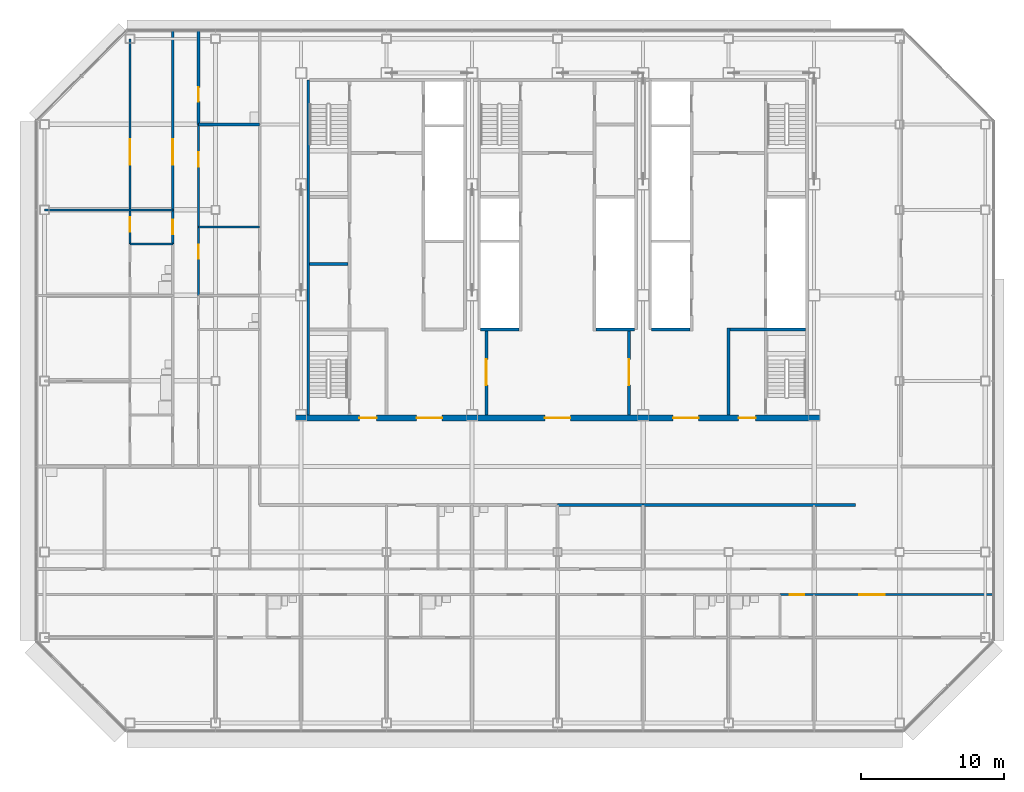
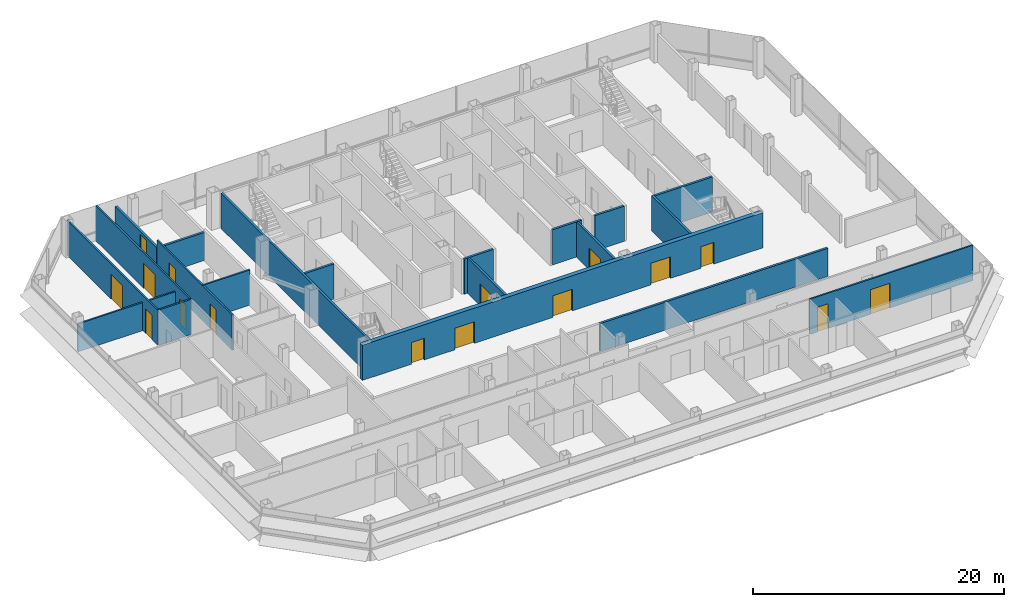
# One storey, part 22 of 27: 21 walls, 16 doors, 16 openings.
"""IFC4 building model written with IfcOpenShell, lengths in metres."""

from ifc_helpers import new_model, si_unit, direction, frame, frame_2d, origin, place, context, subcontext, project, spatial, rectangle, extrude, material, layer, layer_set, type_object, element, fill, save


model = new_model("IFC4")

# Units and contexts
model_context = context("Model", 3, precision=1e-05, world=origin(), true_north=direction((0.0, 1.0)))
body_context = subcontext(model_context, "Body", "Model", "MODEL_VIEW")
ifc_project = project(units=[si_unit("LENGTHUNIT", "METRE"), si_unit("AREAUNIT", "SQUARE_METRE"), si_unit("VOLUMEUNIT", "CUBIC_METRE"), si_unit("PLANEANGLEUNIT", "RADIAN"), si_unit("MASSUNIT", "GRAM", prefix="KILO")], contexts=[model_context])

# Site, building, storey
site_placement = place(None, origin())
site = spatial("IfcSite", under=ifc_project, at=site_placement, CompositionType="ELEMENT")
building_placement = place(site_placement, origin())
building = spatial("IfcBuilding", under=site, at=building_placement, Name="Sorahane Residences", CompositionType="ELEMENT")
storey_placement = place(building_placement, frame((0.0, 0.0, 202.800048828125)))
storey = spatial("IfcBuildingStorey", under=building, at=storey_placement, Name="L47", CompositionType="ELEMENT", Elevation=202.800048828125)

# Walls
ifc_material_1 = material(Name="Concrete C30", Category="concrete")
ifc_layer_1 = layer(ifc_material_1, 0.199951171875)
ifc_layer_set_1 = layer_set([ifc_layer_1], Name="Core face wall 200 EI 180")
wall_type_1 = type_object("IfcWallType", Name="Core face wall 200 EI 180", PredefinedType="SOLIDWALL", material=ifc_layer_set_1)
wall_1_placement = place(storey_placement, frame((6.5, 21.60009765625, 0.0), z_axis=(0.0, 0.0, 1.0), x_axis=(0.0, 1.0, 0.0)))
element("IfcWall", 1, at=wall_1_placement, inside=storey, type_object=wall_type_1, Name="L47 core face wall", PredefinedType="SOLIDWALL", context=body_context, shape_type="SweptSolid", body=[
    extrude(rectangle(XDim=23.5, YDim=0.199951171875, at=frame_2d((11.75, 0.0))), origin(), (0.0, 0.0, 1.0), 3.419921875),
])
ifc_material_2 = material(Name="Concrete blockwork C20 wall", Category="masonry")
ifc_layer_2 = layer(ifc_material_2, 0.199951171875)
ifc_layer_set_2 = layer_set([ifc_layer_2], Name="Corridor wall 200 EI 120")
wall_type_2 = type_object("IfcWallType", Name="Corridor wall 200 EI 120", PredefinedType="SOLIDWALL", material=ifc_layer_set_2)
wall_2_placement = place(storey_placement, frame((30.0, 15.300048828125, 0.0), z_axis=(0.0, 0.0, 1.0), x_axis=(1.0, 0.0, 0.0)))
element("IfcWall", 2, at=wall_2_placement, inside=storey, type_object=wall_type_2, Name="L47 corridor wall", PredefinedType="SOLIDWALL", context=body_context, shape_type="SweptSolid", body=[
    extrude(rectangle(XDim=14.89990234375, YDim=0.199951171875, at=frame_2d((7.449951171875, 0.0))), origin(), (0.0, 0.0, 1.0), 2.719970703125),
])
ifc_material_3 = material(Name="Concrete C30", Category="concrete")
ifc_layer_3 = layer(ifc_material_3, 0.199951171875)
ifc_layer_set_3 = layer_set([ifc_layer_3], Name="Front room wall 200 EI 120")
wall_type_3 = type_object("IfcWallType", Name="Front room wall 200 EI 120", PredefinedType="PARTITIONING", material=ifc_layer_set_3)
wall_3_placement = place(storey_placement, frame((36.0, 21.60009765625, 0.0), z_axis=(0.0, 0.0, 1.0), x_axis=(0.0, 1.0, 0.0)))
element("IfcWall", 3, at=wall_3_placement, inside=storey, type_object=wall_type_3, Name="L47 front room wall", PredefinedType="PARTITIONING", context=body_context, shape_type="SweptSolid", body=[
    extrude(rectangle(XDim=6.099853515625, YDim=0.199951171875, at=frame_2d((3.0498046875, 0.0))), origin(), (0.0, 0.0, 1.0), 3.419921875),
])

# Wall, opening, door
ifc_material_4 = material(Name="Concrete blockwork C20 wall", Category="masonry")
ifc_layer_4 = layer(ifc_material_4, 0.199951171875)
ifc_layer_set_4 = layer_set([ifc_layer_4], Name="Kitchen wall 200 EI 180")
wall_type_4 = type_object("IfcWallType", Name="Kitchen wall 200 EI 180", PredefinedType="SOLIDWALL", material=ifc_layer_set_4)
wall_4_placement = place(storey_placement, frame((-1.199951171875, 42.0, 0.0), z_axis=(0.0, 0.0, 1.0), x_axis=(0.0, 1.0, 0.0)))
wall_4 = element("IfcWall", 4, at=wall_4_placement, inside=storey, type_object=wall_type_4, Name="L47 kitchen wall", PredefinedType="SOLIDWALL", context=body_context, shape_type="SweptSolid", body=[
    extrude(rectangle(XDim=6.60009765625, YDim=0.199951171875, at=frame_2d((3.300048828125, 0.0))), origin(), (0.0, 0.0, 1.0), 2.719970703125),
])
opening_1_placement = place(wall_4_placement, frame((1.60009765625, 0.0, 0.0)))
opening_1 = element("IfcOpeningElement", 5, at=opening_1_placement, cuts=wall_4, Name="Opening L47-34", PredefinedType="OPENING", context=body_context, shape_type="SweptSolid", body=[
    extrude(rectangle(XDim=1.0, YDim=2.39990234375, at=frame_2d((0.5, 1.199951171875))), frame((0.0, 0.10986328125, 0.0), z_axis=(0.0, -1.0, 0.0), x_axis=(1.0, 0.0, 0.0)), (0.0, 0.0, 1.0), 0.219970703125),
])
ifc_material_5 = material(Name="Steel", Category="steel")
door_type_1 = type_object("IfcDoorType", Name="Kitchen door 1000x2400 FD120", OperationType="NOTDEFINED", PredefinedType="DOOR", material=ifc_material_5)
door_1_placement = place(opening_1_placement, frame((1.0, 0.0, 0.0), z_axis=(0.0, 0.0, 1.0), x_axis=(-1.0, 0.0, 0.0)))
door_1 = element("IfcDoor", 6, at=door_1_placement, inside=storey, type_object=door_type_1, Name="Kitchen door L47-34", OperationType="SINGLE_SWING_LEFT", OverallHeight=2.39990234375, OverallWidth=1.0, PredefinedType="DOOR", context=body_context, shape_type="SweptSolid", body=[
    extrude(rectangle(XDim=1.0, YDim=2.39990234375, at=frame_2d((0.5, 1.199951171875))), frame((0.0, 0.02490234375, 0.0), z_axis=(0.0, -1.0, 0.0), x_axis=(1.0, 0.0, 0.0)), (0.0, 0.0, 1.0), 0.050048828125),
])
fill(opening_1, door_1)

# Walls
wall_5_placement = place(storey_placement, frame((24.0, 15.300048828125, 0.0), z_axis=(0.0, 0.0, 1.0), x_axis=(1.0, 0.0, 0.0)))
element("IfcWall", 7, at=wall_5_placement, inside=storey, type_object=wall_type_4, Name="L47 kitchen wall", PredefinedType="SOLIDWALL", context=body_context, shape_type="SweptSolid", body=[
    extrude(rectangle(XDim=6.0, YDim=0.199951171875, at=frame_2d((3.0, 0.0))), origin(), (0.0, 0.0, 1.0), 2.719970703125),
])
wall_6_placement = place(storey_placement, frame((-1.199951171875, 42.0, 0.0), z_axis=(0.0, 0.0, 1.0), x_axis=(1.0, 0.0, 0.0)))
element("IfcWall", 8, at=wall_6_placement, inside=storey, type_object=wall_type_4, Name="L47 kitchen wall", PredefinedType="SOLIDWALL", context=body_context, shape_type="SweptSolid", body=[
    extrude(rectangle(XDim=4.300048828125, YDim=0.199951171875, at=frame_2d((2.14990234375, 0.0))), origin(), (0.0, 0.0, 1.0), 2.719970703125),
])
ifc_material_6 = material(Name="Concrete C30", Category="concrete")
ifc_layer_5 = layer(ifc_material_6, 0.199951171875)
ifc_layer_set_5 = layer_set([ifc_layer_5], Name="Lift shaft wall 200 EI 120")
wall_type_5 = type_object("IfcWallType", Name="Lift shaft wall 200 EI 120", PredefinedType="SOLIDWALL", material=ifc_layer_set_5)
for number, where, z_axis, x_axis, name in (
    (9, (18.60009765625, 27.60009765625, 0.0), (0.0, 0.0, 1.0), (1.0, 0.0, 0.0), "L47 lift shaft wall"),
    (10, (30.60009765625, 27.60009765625, 0.0), (0.0, 0.0, 1.0), (1.0, 0.0, 0.0), "L47 lift shaft wall"),
):
    element("IfcWall", number, at=place(storey_placement, frame(where, z_axis=z_axis, x_axis=x_axis)), inside=storey, type_object=wall_type_5, Name=name, PredefinedType="SOLIDWALL", context=body_context, shape_type="SweptSolid", body=[
        extrude(rectangle(XDim=2.699951171875, YDim=0.199951171875, at=frame_2d((1.35009765625, 0.0))), origin(), (0.0, 0.0, 1.0), 3.419921875),
    ])

# Wall, openings, doors
ifc_material_7 = material(Name="Gypsum board partition on steel studs", Category="steel")
ifc_layer_6 = layer(ifc_material_7, 0.14990234375)
ifc_layer_set_6 = layer_set([ifc_layer_6], Name="Partition 150 EI 90")
wall_type_6 = type_object("IfcWallType", Name="Partition 150 EI 90", PredefinedType="PARTITIONING", material=ifc_layer_set_6)
wall_7_placement = place(storey_placement, frame((-1.199951171875, 30.0, 0.0), z_axis=(0.0, 0.0, 1.0), x_axis=(0.0, 1.0, 0.0)))
wall_7 = element("IfcWall", 11, at=wall_7_placement, inside=storey, type_object=wall_type_6, Name="L47 partition", PredefinedType="PARTITIONING", context=body_context, shape_type="SweptSolid", body=[
    extrude(rectangle(XDim=12.0, YDim=0.14990234375, at=frame_2d((6.0, 0.0))), origin(), (0.0, 0.0, 1.0), 3.419921875),
])
opening_2_placement = place(wall_7_placement, frame((2.56005859375, 0.0, 0.0)))
opening_2 = element("IfcOpeningElement", 12, at=opening_2_placement, cuts=wall_7, Name="Opening L47-30", PredefinedType="OPENING", context=body_context, shape_type="SweptSolid", body=[
    extrude(rectangle(XDim=1.0, YDim=2.39990234375, at=frame_2d((0.5, 1.199951171875))), frame((0.0, 0.0849609375, 0.0), z_axis=(0.0, -1.0, 0.0), x_axis=(1.0, 0.0, 0.0)), (0.0, 0.0, 1.0), 0.169921875),
])
opening_3_placement = place(wall_7_placement, frame((9.0400390625, 0.0, 0.0)))
opening_3 = element("IfcOpeningElement", 13, at=opening_3_placement, cuts=wall_7, Name="Opening L47-33", PredefinedType="OPENING", context=body_context, shape_type="SweptSolid", body=[
    extrude(rectangle(XDim=1.0, YDim=2.39990234375, at=frame_2d((0.5, 1.199951171875))), frame((0.0, 0.0849609375, 0.0), z_axis=(0.0, -1.0, 0.0), x_axis=(1.0, 0.0, 0.0)), (0.0, 0.0, 1.0), 0.169921875),
])
ifc_material_8 = material(Name="Timber veneered fire door", Category="wood")
door_type_2 = type_object("IfcDoorType", Name="Room door 1000x2400 FD30", OperationType="NOTDEFINED", PredefinedType="DOOR", material=ifc_material_8)
door_2_placement = place(opening_2_placement, origin())
door_2 = element("IfcDoor", 14, at=door_2_placement, inside=storey, type_object=door_type_2, Name="Room door L47-30", OperationType="SINGLE_SWING_LEFT", OverallHeight=2.39990234375, OverallWidth=1.0, PredefinedType="DOOR", context=body_context, shape_type="SweptSolid", body=[
    extrude(rectangle(XDim=1.0, YDim=2.39990234375, at=frame_2d((0.5, 1.199951171875))), frame((0.0, 0.02490234375, 0.0), z_axis=(0.0, -1.0, 0.0), x_axis=(1.0, 0.0, 0.0)), (0.0, 0.0, 1.0), 0.050048828125),
])
fill(opening_2, door_2)
door_3_placement = place(opening_3_placement, frame((1.0, 0.0, 0.0), z_axis=(0.0, 0.0, 1.0), x_axis=(-1.0, 0.0, 0.0)))
door_3 = element("IfcDoor", 15, at=door_3_placement, inside=storey, type_object=door_type_2, Name="Room door L47-33", OperationType="SINGLE_SWING_LEFT", OverallHeight=2.39990234375, OverallWidth=1.0, PredefinedType="DOOR", context=body_context, shape_type="SweptSolid", body=[
    extrude(rectangle(XDim=1.0, YDim=2.39990234375, at=frame_2d((0.5, 1.199951171875))), frame((0.0, 0.02490234375, 0.0), z_axis=(0.0, -1.0, 0.0), x_axis=(1.0, 0.0, 0.0)), (0.0, 0.0, 1.0), 0.050048828125),
])
fill(opening_3, door_3)

wall_8_placement = place(storey_placement, frame((-3.0, 33.60009765625, 0.0), z_axis=(0.0, 0.0, 1.0), x_axis=(0.0, 1.0, 0.0)))
wall_8 = element("IfcWall", 16, at=wall_8_placement, inside=storey, type_object=wall_type_6, Name="L47 partition", PredefinedType="PARTITIONING", context=body_context, shape_type="SweptSolid", body=[
    extrude(rectangle(XDim=15.0, YDim=0.14990234375, at=frame_2d((7.5, 0.0))), origin(), (0.0, 0.0, 1.0), 3.419921875),
])
opening_4_placement = place(wall_8_placement, frame((0.699951171875, 0.0, 0.0)))
opening_4 = element("IfcOpeningElement", 17, at=opening_4_placement, cuts=wall_8, Name="Opening L47-36", PredefinedType="OPENING", context=body_context, shape_type="SweptSolid", body=[
    extrude(rectangle(XDim=1.0, YDim=2.39990234375, at=frame_2d((0.5, 1.199951171875))), frame((0.0, 0.0849609375, 0.0), z_axis=(0.0, -1.0, 0.0), x_axis=(1.0, 0.0, 0.0)), (0.0, 0.0, 1.0), 0.169921875),
])
opening_5_placement = place(wall_8_placement, frame((5.56005859375, 0.0, 0.0)))
opening_5 = element("IfcOpeningElement", 18, at=opening_5_placement, cuts=wall_8, Name="Opening L47-37", PredefinedType="OPENING", context=body_context, shape_type="SweptSolid", body=[
    extrude(rectangle(XDim=1.800048828125, YDim=2.39990234375, at=frame_2d((0.89990234375, 1.199951171875))), frame((0.0, 0.0849609375, 0.0), z_axis=(0.0, -1.0, 0.0), x_axis=(1.0, 0.0, 0.0)), (0.0, 0.0, 1.0), 0.169921875),
])
ifc_material_9 = material(Name="Timber veneered fire door", Category="wood")
door_type_3 = type_object("IfcDoorType", Name="Double door 1800x2400 FD30", OperationType="NOTDEFINED", PredefinedType="DOOR", material=ifc_material_9)
door_4_placement = place(opening_5_placement, origin())
door_4 = element("IfcDoor", 19, at=door_4_placement, inside=storey, type_object=door_type_3, Name="Double door L47-37", OperationType="SINGLE_SWING_LEFT", OverallHeight=2.39990234375, OverallWidth=1.800048828125, PredefinedType="DOOR", context=body_context, shape_type="SweptSolid", body=[
    extrude(rectangle(XDim=1.800048828125, YDim=2.39990234375, at=frame_2d((0.89990234375, 1.199951171875))), frame((0.0, 0.02490234375, 0.0), z_axis=(0.0, -1.0, 0.0), x_axis=(1.0, 0.0, 0.0)), (0.0, 0.0, 1.0), 0.050048828125),
])
fill(opening_5, door_4)
door_5_placement = place(opening_4_placement, origin())
door_5 = element("IfcDoor", 20, at=door_5_placement, inside=storey, type_object=door_type_2, Name="Room door L47-36", OperationType="SINGLE_SWING_LEFT", OverallHeight=2.39990234375, OverallWidth=1.0, PredefinedType="DOOR", context=body_context, shape_type="SweptSolid", body=[
    extrude(rectangle(XDim=1.0, YDim=2.39990234375, at=frame_2d((0.5, 1.199951171875))), frame((0.0, 0.02490234375, 0.0), z_axis=(0.0, -1.0, 0.0), x_axis=(1.0, 0.0, 0.0)), (0.0, 0.0, 1.0), 0.050048828125),
])
fill(opening_4, door_5)

wall_9_placement = place(storey_placement, frame((-6.0, 33.60009765625, 0.0), z_axis=(0.0, 0.0, 1.0), x_axis=(0.0, 1.0, 0.0)))
wall_9 = element("IfcWall", 21, at=wall_9_placement, inside=storey, type_object=wall_type_6, Name="L47 partition", PredefinedType="PARTITIONING", context=body_context, shape_type="SweptSolid", body=[
    extrude(rectangle(XDim=14.39990234375, YDim=0.14990234375, at=frame_2d((7.199951171875, 0.0))), origin(), (0.0, 0.0, 1.0), 3.419921875),
])
opening_6_placement = place(wall_9_placement, frame((0.8798828125, 0.0, 0.0)))
opening_6 = element("IfcOpeningElement", 22, at=opening_6_placement, cuts=wall_9, Name="Opening L47-41", PredefinedType="OPENING", context=body_context, shape_type="SweptSolid", body=[
    extrude(rectangle(XDim=1.0, YDim=2.39990234375, at=frame_2d((0.5, 1.199951171875))), frame((0.0, 0.0849609375, 0.0), z_axis=(0.0, -1.0, 0.0), x_axis=(1.0, 0.0, 0.0)), (0.0, 0.0, 1.0), 0.169921875),
])
opening_7_placement = place(wall_9_placement, frame((5.56005859375, 0.0, 0.0)))
opening_7 = element("IfcOpeningElement", 23, at=opening_7_placement, cuts=wall_9, Name="Opening L47-43", PredefinedType="OPENING", context=body_context, shape_type="SweptSolid", body=[
    extrude(rectangle(XDim=1.800048828125, YDim=2.39990234375, at=frame_2d((0.89990234375, 1.199951171875))), frame((0.0, 0.0849609375, 0.0), z_axis=(0.0, -1.0, 0.0), x_axis=(1.0, 0.0, 0.0)), (0.0, 0.0, 1.0), 0.169921875),
])
door_6_placement = place(opening_7_placement, origin())
door_6 = element("IfcDoor", 24, at=door_6_placement, inside=storey, type_object=door_type_3, Name="Double door L47-43", OperationType="SINGLE_SWING_LEFT", OverallHeight=2.39990234375, OverallWidth=1.800048828125, PredefinedType="DOOR", context=body_context, shape_type="SweptSolid", body=[
    extrude(rectangle(XDim=1.800048828125, YDim=2.39990234375, at=frame_2d((0.89990234375, 1.199951171875))), frame((0.0, 0.02490234375, 0.0), z_axis=(0.0, -1.0, 0.0), x_axis=(1.0, 0.0, 0.0)), (0.0, 0.0, 1.0), 0.050048828125),
])
fill(opening_7, door_6)
door_7_placement = place(opening_6_placement, origin())
door_7 = element("IfcDoor", 25, at=door_7_placement, inside=storey, type_object=door_type_2, Name="Room door L47-41", OperationType="SINGLE_SWING_RIGHT", OverallHeight=2.39990234375, OverallWidth=1.0, PredefinedType="DOOR", context=body_context, shape_type="SweptSolid", body=[
    extrude(rectangle(XDim=1.0, YDim=2.39990234375, at=frame_2d((0.5, 1.199951171875))), frame((0.0, 0.02490234375, 0.0), z_axis=(0.0, -1.0, 0.0), x_axis=(1.0, 0.0, 0.0)), (0.0, 0.0, 1.0), 0.050048828125),
])
fill(opening_6, door_7)

# Walls
wall_10_placement = place(storey_placement, frame((-1.199951171875, 34.800048828125, 0.0), z_axis=(0.0, 0.0, 1.0), x_axis=(1.0, 0.0, 0.0)))
element("IfcWall", 26, at=wall_10_placement, inside=storey, type_object=wall_type_6, Name="L47 partition", PredefinedType="PARTITIONING", context=body_context, shape_type="SweptSolid", body=[
    extrude(rectangle(XDim=4.300048828125, YDim=0.14990234375, at=frame_2d((2.14990234375, 0.0))), origin(), (0.0, 0.0, 1.0), 3.419921875),
])
wall_11_placement = place(storey_placement, frame((-12.0, 36.0, 0.0), z_axis=(0.0, 0.0, 1.0), x_axis=(1.0, 0.0, 0.0)))
element("IfcWall", 27, at=wall_11_placement, inside=storey, type_object=wall_type_6, Name="L47 partition", PredefinedType="PARTITIONING", context=body_context, shape_type="SweptSolid", body=[
    extrude(rectangle(XDim=9.0, YDim=0.14990234375, at=frame_2d((4.5, 0.0))), origin(), (0.0, 0.0, 1.0), 2.719970703125),
])

# Wall, openings, doors
wall_12_placement = place(storey_placement, frame((39.60009765625, 9.0, 0.0), z_axis=(0.0, 0.0, 1.0), x_axis=(1.0, 0.0, 0.0)))
wall_12 = element("IfcWall", 28, at=wall_12_placement, inside=storey, type_object=wall_type_6, Name="L47 partition", PredefinedType="PARTITIONING", context=body_context, shape_type="SweptSolid", body=[
    extrude(rectangle(XDim=15.0, YDim=0.14990234375, at=frame_2d((7.5, 0.0))), origin(), (0.0, 0.0, 1.0), 3.419921875),
])
opening_8_placement = place(wall_12_placement, frame((0.699951171875, 0.0, 0.0)))
opening_8 = element("IfcOpeningElement", 29, at=opening_8_placement, cuts=wall_12, Name="Opening L47-23", PredefinedType="OPENING", context=body_context, shape_type="SweptSolid", body=[
    extrude(rectangle(XDim=1.0, YDim=2.39990234375, at=frame_2d((0.5, 1.199951171875))), frame((0.0, 0.0849609375, 0.0), z_axis=(0.0, -1.0, 0.0), x_axis=(1.0, 0.0, 0.0)), (0.0, 0.0, 1.0), 0.169921875),
])
opening_9_placement = place(wall_12_placement, frame((5.56005859375, 0.0, 0.0)))
opening_9 = element("IfcOpeningElement", 30, at=opening_9_placement, cuts=wall_12, Name="Opening L47-24", PredefinedType="OPENING", context=body_context, shape_type="SweptSolid", body=[
    extrude(rectangle(XDim=1.800048828125, YDim=2.39990234375, at=frame_2d((0.89990234375, 1.199951171875))), frame((0.0, 0.0849609375, 0.0), z_axis=(0.0, -1.0, 0.0), x_axis=(1.0, 0.0, 0.0)), (0.0, 0.0, 1.0), 0.169921875),
])
door_8_placement = place(opening_9_placement, frame((1.800048828125, 0.0, 0.0), z_axis=(0.0, 0.0, 1.0), x_axis=(-1.0, 0.0, 0.0)))
door_8 = element("IfcDoor", 31, at=door_8_placement, inside=storey, type_object=door_type_3, Name="Double door L47-24", OperationType="SINGLE_SWING_LEFT", OverallHeight=2.39990234375, OverallWidth=1.800048828125, PredefinedType="DOOR", context=body_context, shape_type="SweptSolid", body=[
    extrude(rectangle(XDim=1.800048828125, YDim=2.39990234375, at=frame_2d((0.89990234375, 1.199951171875))), frame((0.0, 0.02490234375, 0.0), z_axis=(0.0, -1.0, 0.0), x_axis=(1.0, 0.0, 0.0)), (0.0, 0.0, 1.0), 0.050048828125),
])
fill(opening_9, door_8)
door_9_placement = place(opening_8_placement, frame((1.0, 0.0, 0.0), z_axis=(0.0, 0.0, 1.0), x_axis=(-1.0, 0.0, 0.0)))
door_9 = element("IfcDoor", 32, at=door_9_placement, inside=storey, type_object=door_type_2, Name="Room door L47-23", OperationType="SINGLE_SWING_LEFT", OverallHeight=2.39990234375, OverallWidth=1.0, PredefinedType="DOOR", context=body_context, shape_type="SweptSolid", body=[
    extrude(rectangle(XDim=1.0, YDim=2.39990234375, at=frame_2d((0.5, 1.199951171875))), frame((0.0, 0.02490234375, 0.0), z_axis=(0.0, -1.0, 0.0), x_axis=(1.0, 0.0, 0.0)), (0.0, 0.0, 1.0), 0.050048828125),
])
fill(opening_8, door_9)

# Wall
ifc_material_10 = material(Name="Concrete C30", Category="concrete")
ifc_layer_7 = layer(ifc_material_10, 0.199951171875)
ifc_layer_set_7 = layer_set([ifc_layer_7], Name="Riser shaft wall 200 EI 120")
wall_type_7 = type_object("IfcWallType", Name="Riser shaft wall 200 EI 120", PredefinedType="SOLIDWALL", material=ifc_layer_set_7)
wall_13_placement = place(storey_placement, frame((26.699951171875, 27.60009765625, 0.0), z_axis=(0.0, 0.0, 1.0), x_axis=(1.0, 0.0, 0.0)))
element("IfcWall", 33, at=wall_13_placement, inside=storey, type_object=wall_type_7, Name="L47 riser wall", PredefinedType="SOLIDWALL", context=body_context, shape_type="SweptSolid", body=[
    extrude(rectangle(XDim=2.699951171875, YDim=0.199951171875, at=frame_2d((1.35009765625, 0.0))), origin(), (0.0, 0.0, 1.0), 3.419921875),
])

# Wall, opening, door
ifc_material_11 = material(Name="Concrete C30", Category="concrete")
ifc_layer_8 = layer(ifc_material_11, 0.199951171875)
ifc_layer_set_8 = layer_set([ifc_layer_8], Name="Service room partition 200 EI 60")
wall_type_8 = type_object("IfcWallType", Name="Service room partition 200 EI 60", PredefinedType="PARTITIONING", material=ifc_layer_set_8)
wall_14_placement = place(storey_placement, frame((19.0, 21.60009765625, 0.0), z_axis=(0.0, 0.0, 1.0), x_axis=(0.0, 1.0, 0.0)))
wall_14 = element("IfcWall", 34, at=wall_14_placement, inside=storey, type_object=wall_type_8, Name="L47 service room wall", PredefinedType="PARTITIONING", context=body_context, shape_type="SweptSolid", body=[
    extrude(rectangle(XDim=6.0, YDim=0.199951171875, at=frame_2d((3.0, 0.0))), origin(), (0.0, 0.0, 1.0), 3.419921875),
])
opening_10_placement = place(wall_14_placement, frame((2.10009765625, 0.0, 0.0)))
opening_10 = element("IfcOpeningElement", 35, at=opening_10_placement, cuts=wall_14, Name="Opening L47-C02", PredefinedType="OPENING", context=body_context, shape_type="SweptSolid", body=[
    extrude(rectangle(XDim=1.800048828125, YDim=2.10009765625, at=frame_2d((0.89990234375, 1.050048828125))), frame((0.0, 0.10986328125, 0.0), z_axis=(0.0, -1.0, 0.0), x_axis=(1.0, 0.0, 0.0)), (0.0, 0.0, 1.0), 0.219970703125),
])
ifc_material_12 = material(Name="Steel", Category="steel")
door_type_4 = type_object("IfcDoorType", Name="Waiting hall door 1800x2100 FD60", OperationType="NOTDEFINED", PredefinedType="DOOR", material=ifc_material_12)
door_10_placement = place(opening_10_placement, origin())
door_10 = element("IfcDoor", 36, at=door_10_placement, inside=storey, type_object=door_type_4, Name="Waiting hall door Residents' waiting hall west L47", OperationType="SINGLE_SWING_LEFT", OverallHeight=2.10009765625, OverallWidth=1.800048828125, PredefinedType="DOOR", context=body_context, shape_type="SweptSolid", body=[
    extrude(rectangle(XDim=1.800048828125, YDim=2.10009765625, at=frame_2d((0.89990234375, 1.050048828125))), frame((0.0, 0.02490234375, 0.0), z_axis=(0.0, -1.0, 0.0), x_axis=(1.0, 0.0, 0.0)), (0.0, 0.0, 1.0), 0.050048828125),
])
fill(opening_10, door_10)

wall_15_placement = place(storey_placement, frame((29.0, 21.60009765625, 0.0), z_axis=(0.0, 0.0, 1.0), x_axis=(0.0, 1.0, 0.0)))
wall_15 = element("IfcWall", 37, at=wall_15_placement, inside=storey, type_object=wall_type_8, Name="L47 service room wall", PredefinedType="PARTITIONING", context=body_context, shape_type="SweptSolid", body=[
    extrude(rectangle(XDim=6.0, YDim=0.199951171875, at=frame_2d((3.0, 0.0))), origin(), (0.0, 0.0, 1.0), 3.419921875),
])
opening_11_placement = place(wall_15_placement, frame((2.10009765625, 0.0, 0.0)))
opening_11 = element("IfcOpeningElement", 38, at=opening_11_placement, cuts=wall_15, Name="Opening L47-C04", PredefinedType="OPENING", context=body_context, shape_type="SweptSolid", body=[
    extrude(rectangle(XDim=1.800048828125, YDim=2.10009765625, at=frame_2d((0.89990234375, 1.050048828125))), frame((0.0, 0.10986328125, 0.0), z_axis=(0.0, -1.0, 0.0), x_axis=(1.0, 0.0, 0.0)), (0.0, 0.0, 1.0), 0.219970703125),
])
door_11_placement = place(opening_11_placement, origin())
door_11 = element("IfcDoor", 39, at=door_11_placement, inside=storey, type_object=door_type_4, Name="Waiting hall door Residents' waiting hall centre L47", OperationType="SINGLE_SWING_LEFT", OverallHeight=2.10009765625, OverallWidth=1.800048828125, PredefinedType="DOOR", context=body_context, shape_type="SweptSolid", body=[
    extrude(rectangle(XDim=1.800048828125, YDim=2.10009765625, at=frame_2d((0.89990234375, 1.050048828125))), frame((0.0, 0.02490234375, 0.0), z_axis=(0.0, -1.0, 0.0), x_axis=(1.0, 0.0, 0.0)), (0.0, 0.0, 1.0), 0.050048828125),
])
fill(opening_11, door_11)

# Walls
wall_16_placement = place(storey_placement, frame((6.60009765625, 32.199951171875, 0.0), z_axis=(0.0, 0.0, 1.0), x_axis=(1.0, 0.0, 0.0)))
element("IfcWall", 40, at=wall_16_placement, inside=storey, type_object=wall_type_8, Name="L47 service room wall", PredefinedType="PARTITIONING", context=body_context, shape_type="SweptSolid", body=[
    extrude(rectangle(XDim=2.699951171875, YDim=0.199951171875, at=frame_2d((1.35009765625, 0.0))), origin(), (0.0, 0.0, 1.0), 3.419921875),
])
ifc_material_13 = material(Name="Concrete C30", Category="concrete")
ifc_layer_9 = layer(ifc_material_13, 0.199951171875)
ifc_layer_set_9 = layer_set([ifc_layer_9], Name="Stair enclosure wall 200 EI 120")
wall_type_9 = type_object("IfcWallType", Name="Stair enclosure wall 200 EI 120", PredefinedType="SOLIDWALL", material=ifc_layer_set_9)
wall_17_placement = place(storey_placement, frame((36.10009765625, 27.60009765625, 0.0), z_axis=(0.0, 0.0, 1.0), x_axis=(1.0, 0.0, 0.0)))
element("IfcWall", 41, at=wall_17_placement, inside=storey, type_object=wall_type_9, Name="L47 stair enclosure wall", PredefinedType="SOLIDWALL", context=body_context, shape_type="SweptSolid", body=[
    extrude(rectangle(XDim=5.2998046875, YDim=0.199951171875, at=frame_2d((2.64990234375, 0.0))), origin(), (0.0, 0.0, 1.0), 3.419921875),
])

# Wall, openings, doors
ifc_material_14 = material(Name="Concrete C30", Category="concrete")
ifc_layer_10 = layer(ifc_material_14, 0.39990234375)
ifc_layer_set_10 = layer_set([ifc_layer_10], Name="Waiting hall wall 400 EI 120")
wall_type_10 = type_object("IfcWallType", Name="Waiting hall wall 400 EI 120", PredefinedType="SOLIDWALL", material=ifc_layer_set_10)
wall_18_placement = place(storey_placement, frame((5.60009765625, 21.39990234375, 0.0), z_axis=(0.0, 0.0, 1.0), x_axis=(1.0, 0.0, 0.0)))
wall_18 = element("IfcWall", 42, at=wall_18_placement, inside=storey, type_object=wall_type_10, Name="L47 waiting hall wall", PredefinedType="SOLIDWALL", context=body_context, shape_type="SweptSolid", body=[
    extrude(rectangle(XDim=36.7998046875, YDim=0.39990234375, at=frame_2d((18.39990234375, 0.0))), origin(), (0.0, 0.0, 1.0), 3.419921875),
])
opening_12_placement = place(wall_18_placement, frame((8.5, 0.0, 0.0)))
opening_12 = element("IfcOpeningElement", 43, at=opening_12_placement, cuts=wall_18, Name="Opening L47-C01", PredefinedType="OPENING", context=body_context, shape_type="SweptSolid", body=[
    extrude(rectangle(XDim=1.800048828125, YDim=2.10009765625, at=frame_2d((0.89990234375, 1.050048828125))), frame((0.0, 0.2099609375, 0.0), z_axis=(0.0, -1.0, 0.0), x_axis=(1.0, 0.0, 0.0)), (0.0, 0.0, 1.0), 0.419921875),
])
opening_13_placement = place(wall_18_placement, frame((17.5, 0.0, 0.0)))
opening_13 = element("IfcOpeningElement", 44, at=opening_13_placement, cuts=wall_18, Name="Opening L47-C03", PredefinedType="OPENING", context=body_context, shape_type="SweptSolid", body=[
    extrude(rectangle(XDim=1.800048828125, YDim=2.10009765625, at=frame_2d((0.89990234375, 1.050048828125))), frame((0.0, 0.2099609375, 0.0), z_axis=(0.0, -1.0, 0.0), x_axis=(1.0, 0.0, 0.0)), (0.0, 0.0, 1.0), 0.419921875),
])
opening_14_placement = place(wall_18_placement, frame((26.5, 0.0, 0.0)))
opening_14 = element("IfcOpeningElement", 45, at=opening_14_placement, cuts=wall_18, Name="Opening L47-C05", PredefinedType="OPENING", context=body_context, shape_type="SweptSolid", body=[
    extrude(rectangle(XDim=1.800048828125, YDim=2.10009765625, at=frame_2d((0.89990234375, 1.050048828125))), frame((0.0, 0.2099609375, 0.0), z_axis=(0.0, -1.0, 0.0), x_axis=(1.0, 0.0, 0.0)), (0.0, 0.0, 1.0), 0.419921875),
])
opening_15_placement = place(wall_18_placement, frame((4.5, 0.0, 0.0)))
opening_15 = element("IfcOpeningElement", 46, at=opening_15_placement, cuts=wall_18, Name="Opening L47-C06", PredefinedType="OPENING", context=body_context, shape_type="SweptSolid", body=[
    extrude(rectangle(XDim=1.199951171875, YDim=2.10009765625, at=frame_2d((0.60009765625, 1.050048828125))), frame((0.0, 0.2099609375, 0.0), z_axis=(0.0, -1.0, 0.0), x_axis=(1.0, 0.0, 0.0)), (0.0, 0.0, 1.0), 0.419921875),
])
opening_16_placement = place(wall_18_placement, frame((31.10009765625, 0.0, 0.0)))
opening_16 = element("IfcOpeningElement", 47, at=opening_16_placement, cuts=wall_18, Name="Opening L47-C07", PredefinedType="OPENING", context=body_context, shape_type="SweptSolid", body=[
    extrude(rectangle(XDim=1.199951171875, YDim=2.10009765625, at=frame_2d((0.60009765625, 1.050048828125))), frame((0.0, 0.2099609375, 0.0), z_axis=(0.0, -1.0, 0.0), x_axis=(1.0, 0.0, 0.0)), (0.0, 0.0, 1.0), 0.419921875),
])
ifc_material_15 = material(Name="Steel", Category="steel")
door_type_5 = type_object("IfcDoorType", Name="Stair front room door 1200x2100 FD120", OperationType="NOTDEFINED", PredefinedType="DOOR", material=ifc_material_15)
door_12_placement = place(opening_15_placement, frame((1.199951171875, 0.0, 0.0), z_axis=(0.0, 0.0, 1.0), x_axis=(-1.0, 0.0, 0.0)))
door_12 = element("IfcDoor", 48, at=door_12_placement, inside=storey, type_object=door_type_5, Name="Stair front room door Stair S4 front room L47", OperationType="SINGLE_SWING_LEFT", OverallHeight=2.10009765625, OverallWidth=1.199951171875, PredefinedType="DOOR", context=body_context, shape_type="SweptSolid", body=[
    extrude(rectangle(XDim=1.199951171875, YDim=2.10009765625, at=frame_2d((0.60009765625, 1.050048828125))), frame((0.0, 0.02490234375, 0.0), z_axis=(0.0, -1.0, 0.0), x_axis=(1.0, 0.0, 0.0)), (0.0, 0.0, 1.0), 0.050048828125),
])
fill(opening_15, door_12)
door_13_placement = place(opening_16_placement, frame((1.199951171875, 0.0, 0.0), z_axis=(0.0, 0.0, 1.0), x_axis=(-1.0, 0.0, 0.0)))
door_13 = element("IfcDoor", 49, at=door_13_placement, inside=storey, type_object=door_type_5, Name="Stair front room door Stair S5 front room L47", OperationType="SINGLE_SWING_LEFT", OverallHeight=2.10009765625, OverallWidth=1.199951171875, PredefinedType="DOOR", context=body_context, shape_type="SweptSolid", body=[
    extrude(rectangle(XDim=1.199951171875, YDim=2.10009765625, at=frame_2d((0.60009765625, 1.050048828125))), frame((0.0, 0.02490234375, 0.0), z_axis=(0.0, -1.0, 0.0), x_axis=(1.0, 0.0, 0.0)), (0.0, 0.0, 1.0), 0.050048828125),
])
fill(opening_16, door_13)
door_14_placement = place(opening_12_placement, frame((1.800048828125, 0.0, 0.0), z_axis=(0.0, 0.0, 1.0), x_axis=(-1.0, 0.0, 0.0)))
door_14 = element("IfcDoor", 50, at=door_14_placement, inside=storey, type_object=door_type_4, Name="Waiting hall door Residents' waiting hall west L47", OperationType="SINGLE_SWING_LEFT", OverallHeight=2.10009765625, OverallWidth=1.800048828125, PredefinedType="DOOR", context=body_context, shape_type="SweptSolid", body=[
    extrude(rectangle(XDim=1.800048828125, YDim=2.10009765625, at=frame_2d((0.89990234375, 1.050048828125))), frame((0.0, 0.02490234375, 0.0), z_axis=(0.0, -1.0, 0.0), x_axis=(1.0, 0.0, 0.0)), (0.0, 0.0, 1.0), 0.050048828125),
])
fill(opening_12, door_14)
door_15_placement = place(opening_13_placement, frame((1.800048828125, 0.0, 0.0), z_axis=(0.0, 0.0, 1.0), x_axis=(-1.0, 0.0, 0.0)))
door_15 = element("IfcDoor", 51, at=door_15_placement, inside=storey, type_object=door_type_4, Name="Waiting hall door Residents' waiting hall centre L47", OperationType="SINGLE_SWING_LEFT", OverallHeight=2.10009765625, OverallWidth=1.800048828125, PredefinedType="DOOR", context=body_context, shape_type="SweptSolid", body=[
    extrude(rectangle(XDim=1.800048828125, YDim=2.10009765625, at=frame_2d((0.89990234375, 1.050048828125))), frame((0.0, 0.02490234375, 0.0), z_axis=(0.0, -1.0, 0.0), x_axis=(1.0, 0.0, 0.0)), (0.0, 0.0, 1.0), 0.050048828125),
])
fill(opening_13, door_15)
door_16_placement = place(opening_14_placement, frame((1.800048828125, 0.0, 0.0), z_axis=(0.0, 0.0, 1.0), x_axis=(-1.0, 0.0, 0.0)))
door_16 = element("IfcDoor", 52, at=door_16_placement, inside=storey, type_object=door_type_4, Name="Waiting hall door Residents' waiting hall east L47", OperationType="SINGLE_SWING_LEFT", OverallHeight=2.10009765625, OverallWidth=1.800048828125, PredefinedType="DOOR", context=body_context, shape_type="SweptSolid", body=[
    extrude(rectangle(XDim=1.800048828125, YDim=2.10009765625, at=frame_2d((0.89990234375, 1.050048828125))), frame((0.0, 0.02490234375, 0.0), z_axis=(0.0, -1.0, 0.0), x_axis=(1.0, 0.0, 0.0)), (0.0, 0.0, 1.0), 0.050048828125),
])
fill(opening_14, door_16)

# Wall
ifc_material_16 = material(Name="Gypsum board partition on steel studs", Category="steel")
ifc_layer_11 = layer(ifc_material_16, 0.14990234375)
ifc_layer_set_11 = layer_set([ifc_layer_11], Name="Wet wall 150 EI 90")
wall_type_11 = type_object("IfcWallType", Name="Wet wall 150 EI 90", PredefinedType="PARTITIONING", material=ifc_layer_set_11)
wall_19_placement = place(storey_placement, frame((-6.0, 33.60009765625, 0.0), z_axis=(0.0, 0.0, 1.0), x_axis=(1.0, 0.0, 0.0)))
element("IfcWall", 53, at=wall_19_placement, inside=storey, type_object=wall_type_11, Name="L47 wet wall", PredefinedType="PARTITIONING", context=body_context, shape_type="SweptSolid", body=[
    extrude(rectangle(XDim=3.0, YDim=0.14990234375, at=frame_2d((1.5, 0.0))), origin(), (0.0, 0.0, 1.0), 3.419921875),
])

save(model, "model.ifc")
